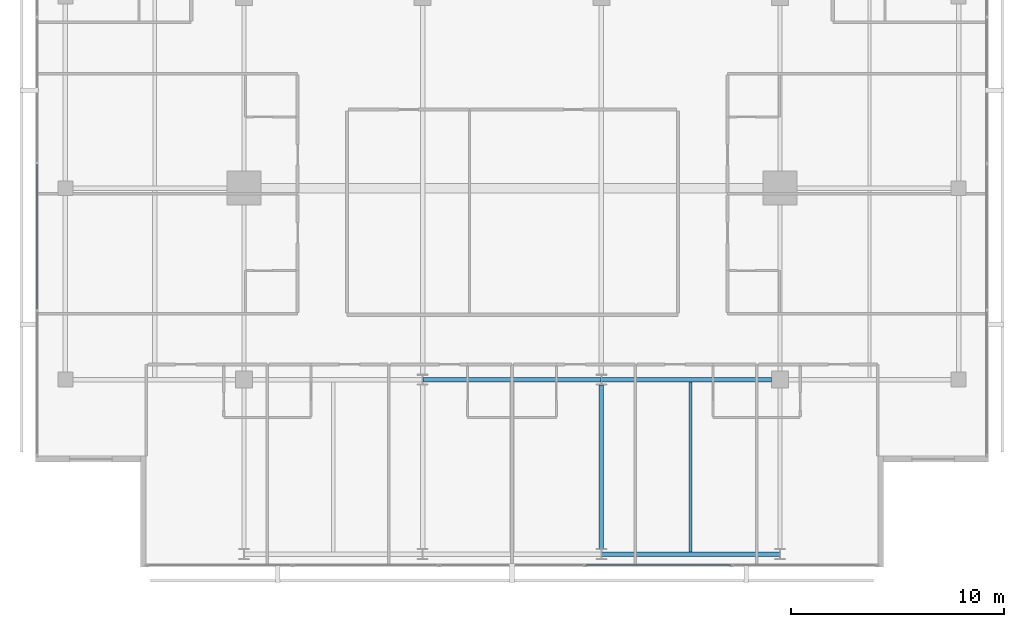
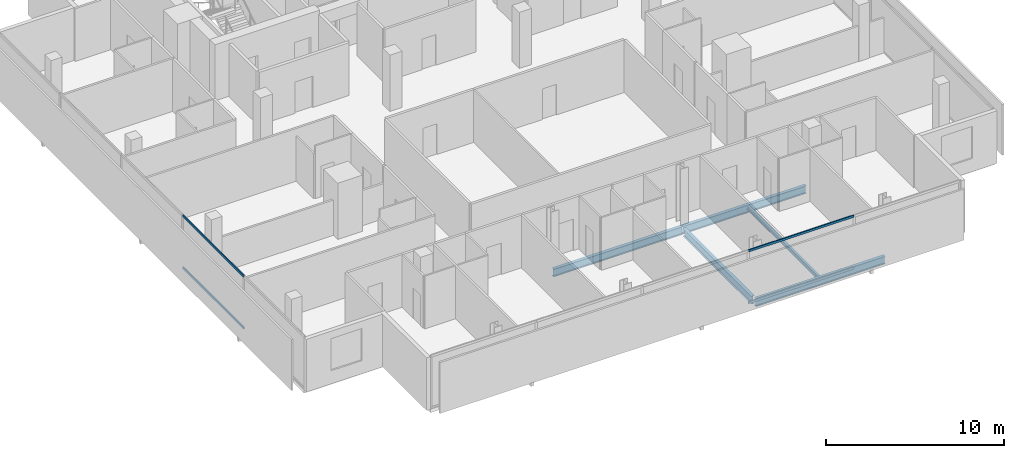
# One storey, part 7 of 25: 5 beams, 4 members, 2 elements without a shape of their own.
"""IFC4 building model written with IfcOpenShell, lengths in metres."""

from ifc_helpers import new_model, si_unit, direction, frame, origin, origin_2d, place, context, subcontext, project, spatial, hollow_rectangle, i_section, extrude, material, layer, layer_set, material_profile, profile_set, type_object, element, aggregate, save


model = new_model("IFC4")

# Units and contexts
model_context = context("Model", 3, precision=1e-05, world=origin(), true_north=direction((0.0, 1.0)))
body_context = subcontext(model_context, "Body", "Model", "MODEL_VIEW")
ifc_project = project(units=[si_unit("LENGTHUNIT", "METRE"), si_unit("AREAUNIT", "SQUARE_METRE"), si_unit("VOLUMEUNIT", "CUBIC_METRE"), si_unit("PLANEANGLEUNIT", "RADIAN"), si_unit("MASSUNIT", "GRAM", prefix="KILO")], contexts=[model_context])

# Site, building, storey
site_placement = place(None, origin())
site = spatial("IfcSite", under=ifc_project, at=site_placement, CompositionType="ELEMENT")
building_placement = place(site_placement, origin())
building = spatial("IfcBuilding", under=site, at=building_placement, Name="Maruvema Waterfront Hotel and Observation Tower", CompositionType="ELEMENT")
storey_placement = place(building_placement, frame((0.0, 0.0, 247.10009765625)))
storey = spatial("IfcBuildingStorey", under=building, at=storey_placement, Name="L60", CompositionType="ELEMENT", Elevation=247.10009765625)

# Curtain wall, members
ifc_material_1 = material(Name="Anodised bronze aluminium and solar-control low-E IGU", Category="aluminium")
ifc_layer = layer(ifc_material_1, 0.159912109375, Name="Zone 3 Champagne Inner Thermal Curtain Wall System CW-04")
ifc_layer_set = layer_set([ifc_layer], Name="Anodised bronze aluminium and solar-control low-E IGU")
curtain_wall_type = type_object("IfcCurtainWallType", Name="Zone 3 Champagne Inner Thermal Curtain Wall System CW-04", PredefinedType="USERDEFINED", material=ifc_layer_set)
curtain_wall_1_placement = place(storey_placement, origin())
curtain_wall_1 = element("IfcCurtainWall", 1, at=curtain_wall_1_placement, inside=storey, type_object=curtain_wall_type, Name="L60 Curtain Wall CW-L60-S", ObjectType="UNITISED CURTAIN WALL", PredefinedType="USERDEFINED")
ifc_material_2 = material(Name="Anodised architectural bronze aluminium", Category="aluminium")
ifc_material_profile_1 = material_profile(ifc_material_2, hollow_rectangle(XDim=0.070068359375, YDim=0.14990234375, WallThickness=0.00390625, at=origin_2d()), Name="ALU-T70x150")
ifc_profile_set_1 = profile_set([ifc_material_profile_1], Name="Anodised architectural bronze aluminium")
member_type = type_object("IfcMemberType", Name="Curtain Wall Horizontal Transom ALU-T70x150", PredefinedType="USERDEFINED", material=ifc_profile_set_1)
member_1_placement = place(storey_placement, frame((41.27001953125, 9.280029296875, 0.02978515625), z_axis=(1.0, 0.0, 0.0), x_axis=(0.0, 1.0, 0.0)))
member_1 = element("IfcMember", 2, at=member_1_placement, type_object=member_type, Name="CW-04 transom 4.1", ObjectType="TRANSOM", PredefinedType="USERDEFINED", context=body_context, shape_type="SweptSolid", body=[
    extrude(hollow_rectangle(XDim=0.070068359375, YDim=0.14990234375, WallThickness=0.00390625, at=origin_2d()), origin(), (0.0, 0.0, 1.0), 6.820068359375),
])
member_2_placement = place(storey_placement, frame((41.27001953125, 9.280029296875, 3.579833984375), z_axis=(1.0, 0.0, 0.0), x_axis=(0.0, 1.0, 0.0)))
member_2 = element("IfcMember", 3, at=member_2_placement, type_object=member_type, Name="CW-04 transom 4.2", ObjectType="TRANSOM", PredefinedType="USERDEFINED", context=body_context, shape_type="SweptSolid", body=[
    extrude(hollow_rectangle(XDim=0.070068359375, YDim=0.14990234375, WallThickness=0.00390625, at=origin_2d()), origin(), (0.0, 0.0, 1.0), 6.820068359375),
])
aggregate(curtain_wall_1, [member_1, member_2])

curtain_wall_2_placement = place(storey_placement, origin())
curtain_wall_2 = element("IfcCurtainWall", 4, at=curtain_wall_2_placement, inside=storey, type_object=curtain_wall_type, Name="L60 Curtain Wall CW-L60-W", ObjectType="UNITISED CURTAIN WALL", PredefinedType="USERDEFINED")
member_3_placement = place(storey_placement, frame((15.47998046875, 28.1298828125, 0.02978515625), z_axis=(0.0, -1.0, 0.0), x_axis=(1.0, 0.0, 0.0)))
member_3 = element("IfcMember", 5, at=member_3_placement, type_object=member_type, Name="CW-04 transom 4.1", ObjectType="TRANSOM", PredefinedType="USERDEFINED", context=body_context, shape_type="SweptSolid", body=[
    extrude(hollow_rectangle(XDim=0.070068359375, YDim=0.14990234375, WallThickness=0.00390625, at=origin_2d()), origin(), (0.0, 0.0, 1.0), 6.81982421875),
])
member_4_placement = place(storey_placement, frame((15.47998046875, 28.1298828125, 3.579833984375), z_axis=(0.0, -1.0, 0.0), x_axis=(1.0, 0.0, 0.0)))
member_4 = element("IfcMember", 6, at=member_4_placement, type_object=member_type, Name="CW-04 transom 4.2", ObjectType="TRANSOM", PredefinedType="USERDEFINED", context=body_context, shape_type="SweptSolid", body=[
    extrude(hollow_rectangle(XDim=0.070068359375, YDim=0.14990234375, WallThickness=0.00390625, at=origin_2d()), origin(), (0.0, 0.0, 1.0), 6.81982421875),
])
aggregate(curtain_wall_2, [member_3, member_4])

# Beams
ifc_material_3 = material(Name="Steel ASTM A572 Grade 50", Category="steel")
ifc_material_profile_2 = material_profile(ifc_material_3, i_section(OverallWidth=0.208984375, OverallDepth=0.532958984375, WebThickness=0.01025390625, FlangeThickness=0.015625, FilletRadius=0.014892578125, at=origin_2d()), Name="W530x92.0")
ifc_profile_set_2 = profile_set([ifc_material_profile_2], Name="Steel ASTM A572 Grade 50")
beam_type_1 = type_object("IfcBeamType", Name="Primary Floor Girder W530x92.0", PredefinedType="BEAM", material=ifc_profile_set_2)
for number, where, z_axis, x_axis, name in (
    (7, (42.010986328125, 9.800048828125, -0.506591796875), (1.0, 0.0, 0.0), (0.0, 1.0, 0.0), "L60 Floor Girder EW-03"),
    (8, (33.611083984375, 18.0, -0.506591796875), (1.0, 0.0, 0.0), (0.0, 1.0, 0.0), "L60 Floor Girder EW-06"),
):
    element("IfcBeam", number, at=place(storey_placement, frame(where, z_axis=z_axis, x_axis=x_axis)), inside=storey, type_object=beam_type_1, Name=name, PredefinedType="BEAM", context=body_context, shape_type="SweptSolid", body=[
        extrude(i_section(OverallWidth=0.208984375, OverallDepth=0.532958984375, WebThickness=0.01025390625, FlangeThickness=0.015625, FilletRadius=0.014892578125, at=origin_2d()), origin(), (0.0, 0.0, 1.0), 8.3779296875),
    ])
beam_1_placement = place(storey_placement, frame((42.010986328125, 18.0, -0.506591796875), z_axis=(1.0, 0.0, 0.0), x_axis=(0.0, 1.0, 0.0)))
element("IfcBeam", 9, at=beam_1_placement, inside=storey, type_object=beam_type_1, Name="L60 Floor Girder EW-07", PredefinedType="BEAM", context=body_context, shape_type="SweptSolid", body=[
    extrude(i_section(OverallWidth=0.208984375, OverallDepth=0.532958984375, WebThickness=0.01025390625, FlangeThickness=0.015625, FilletRadius=0.014892578125, at=origin_2d()), origin(), (0.0, 0.0, 1.0), 7.989013671875),
])
beam_2_placement = place(storey_placement, frame((42.0, 10.050048828125, -0.506591796875), z_axis=(0.0, 1.0, 0.0), x_axis=(-1.0, 0.0, 0.0)))
element("IfcBeam", 10, at=beam_2_placement, inside=storey, type_object=beam_type_1, Name="L60 Floor Girder NS-10", PredefinedType="BEAM", context=body_context, shape_type="SweptSolid", body=[
    extrude(i_section(OverallWidth=0.208984375, OverallDepth=0.532958984375, WebThickness=0.01025390625, FlangeThickness=0.015625, FilletRadius=0.014892578125, at=origin_2d()), origin(), (0.0, 0.0, 1.0), 7.699951171875),
])
ifc_material_4 = material(Name="Steel ASTM A572 Grade 50", Category="steel")
ifc_material_profile_3 = material_profile(ifc_material_4, i_section(OverallWidth=0.14794921875, OverallDepth=0.26611328125, WebThickness=0.007568359375, FlangeThickness=0.012939453125, FilletRadius=0.012939453125, at=origin_2d()), Name="W250x44.8")
ifc_profile_set_3 = profile_set([ifc_material_profile_3], Name="Steel ASTM A572 Grade 50")
beam_type_2 = type_object("IfcBeamType", Name="Secondary Floor Joist W250x44.8", PredefinedType="JOIST", material=ifc_profile_set_3)
beam_3_placement = place(storey_placement, frame((46.199951171875, 9.904541015625, -0.373046875), z_axis=(0.0, 1.0, 0.0), x_axis=(-1.0, 0.0, 0.0)))
element("IfcBeam", 11, at=beam_3_placement, inside=storey, type_object=beam_type_2, Name="L60 Secondary Floor Joist JS-06", PredefinedType="JOIST", context=body_context, shape_type="SweptSolid", body=[
    extrude(i_section(OverallWidth=0.14794921875, OverallDepth=0.26611328125, WebThickness=0.007568359375, FlangeThickness=0.012939453125, FilletRadius=0.012939453125, at=origin_2d()), origin(), (0.0, 0.0, 1.0), 7.990966796875),
])

save(model, "model.ifc")
